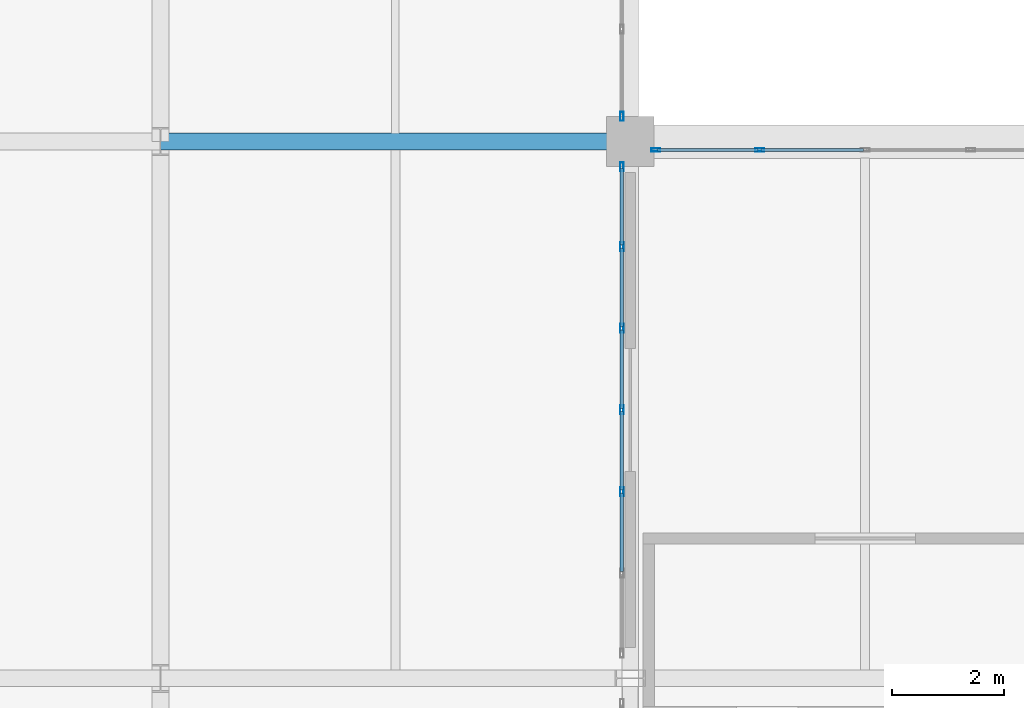
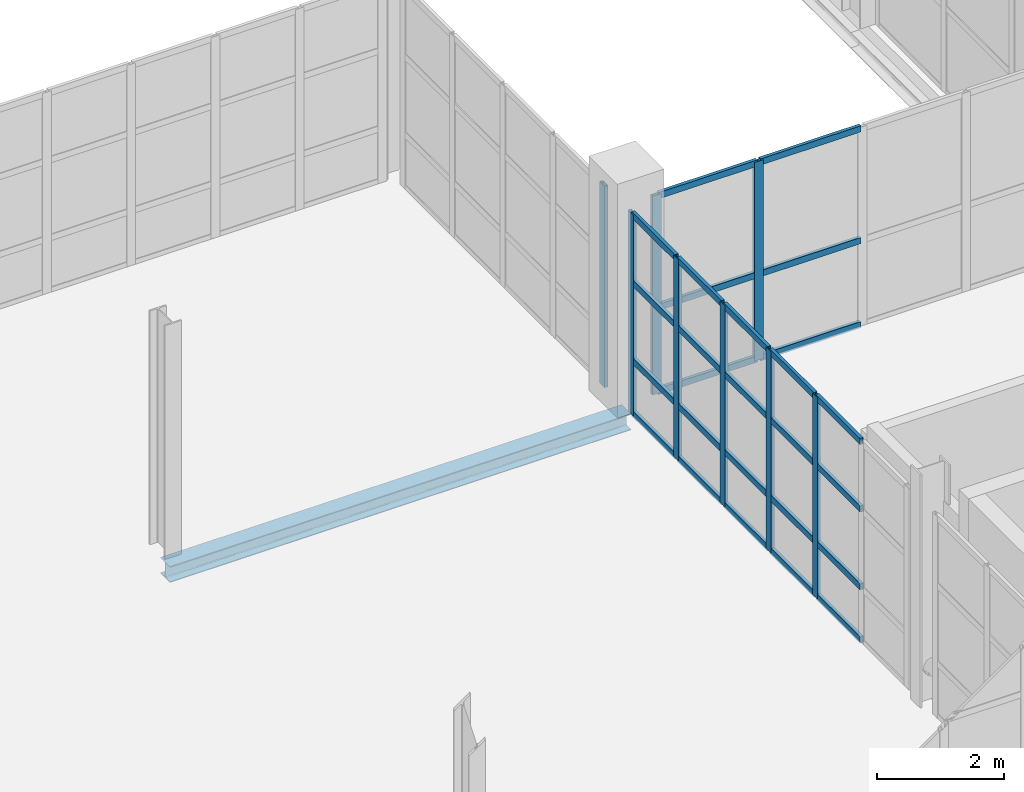
# One storey, part 19 of 109: 34 members, 1 beam, 3 elements without a shape of their own.
"""IFC4 building model written with IfcOpenShell, lengths in metres."""

import ifcopenshell
import ifcopenshell.guid

model = None  # the IFC model being written
_history = None  # IfcOwnerHistory: only IFC2X3 demands one
_inside = {}  # id of a spatial element -> (the spatial element, [elements in it])
_under = {}  # id of a project, library or spatial element -> (it, [spatial elements below it])
_declared = {}  # id of a project -> (the project, [libraries it declares])
_typed = {}  # id of a type object -> (the type object, [elements of that type])
_made_of = {}  # id of a material, layer set ... -> (it, [elements and type objects made of it])


def new_model(schema):
    """Start an empty IFC model of exactly this schema.

    Asked for "IFC4X3", IfcOpenShell would pick the latest addendum, in which some entities
    have other attributes; the version numbers below select the first issue.
    IFC2X3 requires an IfcOwnerHistory on every rooted entity: one is made here for all.
    """
    global model, _history
    if schema == "IFC4X3":
        model = ifcopenshell.file(schema_version=(4, 3, 0, 0))
    else:
        model = ifcopenshell.file(schema=schema)
    _inside.clear()
    _under.clear()
    _declared.clear()
    _typed.clear()
    _made_of.clear()
    _history = None
    if model.schema == "IFC2X3":
        org = make("IfcOrganization", Name="unknown")
        user = make(
            "IfcPersonAndOrganization",
            ThePerson=make("IfcPerson", FamilyName="unknown"),
            TheOrganization=org,
        )
        app = make(
            "IfcApplication",
            ApplicationDeveloper=org,
            Version="unknown",
            ApplicationFullName="unknown",
            ApplicationIdentifier="unknown",
        )
        _history = make(
            "IfcOwnerHistory",
            OwningUser=user,
            OwningApplication=app,
            ChangeAction="ADDED",
            CreationDate=0,
        )
    return model


def make(cls, **values):
    """One entity of the class cls with the attributes given. An attribute that is None is left unset."""
    return model.create_entity(
        cls, **{name: value for name, value in values.items() if value is not None}
    )


def rooted(cls, **values):
    """An entity with a GlobalId (a new one), such as an element, a storey or a relation."""
    return make(cls, GlobalId=ifcopenshell.guid.new(), OwnerHistory=_history, **values)


def si_unit(unit_type, name, prefix=None):
    """IfcSIUnit, for example si_unit("LENGTHUNIT", "METRE", prefix="MILLI")."""
    return make("IfcSIUnit", UnitType=unit_type, Prefix=prefix, Name=name)


def assignment(units):
    """IfcUnitAssignment: the units of a project."""
    return None if units is None else make("IfcUnitAssignment", Units=units)


def point(xyz):
    """IfcCartesianPoint."""
    return None if xyz is None else make("IfcCartesianPoint", Coordinates=xyz)


def direction(xyz):
    """IfcDirection."""
    return None if xyz is None else make("IfcDirection", DirectionRatios=xyz)


def frame(location, z_axis=None, x_axis=None):
    """IfcAxis2Placement3D, a coordinate frame: its origin and axes. An axis left out is left unset."""
    return make(
        "IfcAxis2Placement3D",
        Location=point(location),
        Axis=direction(z_axis),
        RefDirection=direction(x_axis),
    )


def frame_2d(location, x_axis=None):
    """IfcAxis2Placement2D, a coordinate frame in the plane: its origin and x axis."""
    return make(
        "IfcAxis2Placement2D", Location=point(location), RefDirection=direction(x_axis)
    )


def origin():
    """The frame at (0, 0, 0) with its axes left unset."""
    return frame((0.0, 0.0, 0.0))


def origin_2d():
    """The frame at (0, 0) in the plane with its x axis left unset."""
    return frame_2d((0.0, 0.0))


def place(relative_to, where):
    """IfcLocalPlacement: puts the frame where relative to a parent placement (None: the world)."""
    return make(
        "IfcLocalPlacement", PlacementRelTo=relative_to, RelativePlacement=where
    )


def context(
    kind, dimensions, precision=None, world=None, true_north=None, identifier=None
):
    """IfcGeometricRepresentationContext, for example the 3D "Model" context."""
    return make(
        "IfcGeometricRepresentationContext",
        ContextIdentifier=identifier,
        ContextType=kind,
        CoordinateSpaceDimension=dimensions,
        Precision=precision,
        WorldCoordinateSystem=world,
        TrueNorth=true_north,
    )


def subcontext(parent, identifier, kind, view, scale=None):
    """IfcGeometricRepresentationSubContext, for example "Body" below "Model"."""
    return make(
        "IfcGeometricRepresentationSubContext",
        ContextIdentifier=identifier,
        ContextType=kind,
        ParentContext=parent,
        TargetScale=scale,
        TargetView=view,
    )


def project(units=None, contexts=None):
    """IfcProject with its units and contexts."""
    return rooted(
        "IfcProject",
        Name="project",
        RepresentationContexts=contexts,
        UnitsInContext=assignment(units),
    )


def spatial(cls, under=None, at=None, **own):
    """A site, building, storey or space (cls), placed at a placement, below another one or the project."""
    s = rooted(cls, ObjectPlacement=at, **own)
    if under is not None:
        _under.setdefault(under.id(), (under, []))[1].append(s)
    return s


def profile(cls, at=None, kind="AREA", **sizes):
    """A parametric profile (cls). Its sizes go by their IFC names, for example OverallWidth=200.0."""
    return make(cls, ProfileType=kind, Position=at, **sizes)


def hollow_rectangle(**sizes):
    """IfcRectangleHollowProfileDef."""
    return profile("IfcRectangleHollowProfileDef", **sizes)


def i_section(**sizes):
    """IfcIShapeProfileDef."""
    return profile("IfcIShapeProfileDef", **sizes)


def extrude(swept, where, along, depth):
    """IfcExtrudedAreaSolid: the profile swept, set in the frame where, extruded along a direction by depth."""
    return make(
        "IfcExtrudedAreaSolid",
        SweptArea=swept,
        Position=where,
        ExtrudedDirection=direction(along),
        Depth=depth,
    )


def shape(context_of_items, identifier, shape_type, items):
    """IfcShapeRepresentation: the items that make up one representation, for example the "Body"."""
    return make(
        "IfcShapeRepresentation",
        ContextOfItems=context_of_items,
        RepresentationIdentifier=identifier,
        RepresentationType=shape_type,
        Items=items,
    )


def material(Name=None, Category=None):
    """IfcMaterial."""
    return make("IfcMaterial", Name=Name, Category=Category)


def material_profile(
    of_material, cross_section, Name=None, Category=None, Priority=None
):
    """IfcMaterialProfile: a cross section and its material."""
    return make(
        "IfcMaterialProfile",
        Name=Name,
        Material=of_material,
        Profile=cross_section,
        Priority=Priority,
        Category=Category,
    )


def profile_set(profiles, Name=None, composite=None):
    """IfcMaterialProfileSet."""
    return make(
        "IfcMaterialProfileSet",
        Name=Name,
        MaterialProfiles=profiles,
        CompositeProfile=composite,
    )


def made_of(thing, what):
    """Note that an element or type object is made of a material, layer set ...; save() writes the relation."""
    if what is not None:
        _made_of.setdefault(what.id(), (what, []))[1].append(thing)
    return thing


def type_object(cls, material=None, **own):
    """A type object (cls), such as IfcWallType, which elements share."""
    return made_of(rooted(cls, **own), material)


def element(
    cls,
    number,
    at=None,
    inside=None,
    cuts=None,
    type_object=None,
    material=None,
    context=None,
    identifier="Body",
    shape_type=None,
    held_by="IfcProductDefinitionShape",
    body=None,
    shapes=None,
    **own,
):
    """One element of the class cls, such as IfcWall. Its Tag is "e" and its number.

    at: its placement. inside: the storey or other place that contains it. cuts: it is an
    opening in that element (IfcRelVoidsElement). A single representation is given by context,
    identifier, shape_type and body (its items); several are given by shapes. held_by: the class
    of the entity that holds the representations. save() writes the other relations.
    """
    e = rooted(cls, Tag="e%d" % number, ObjectPlacement=at, **own)
    if body is not None:
        shapes = [shape(context, identifier, shape_type, body)]
    if shapes is not None:
        e.Representation = make(held_by, Representations=shapes)
    if inside is not None:
        _inside.setdefault(inside.id(), (inside, []))[1].append(e)
    if cuts is not None:
        rooted(
            "IfcRelVoidsElement", RelatingBuildingElement=cuts, RelatedOpeningElement=e
        )
    if type_object is not None:
        _typed.setdefault(type_object.id(), (type_object, []))[1].append(e)
    return made_of(e, material)


def aggregate(whole, parts):
    """IfcRelAggregates: a whole, such as a stair, and the parts it consists of."""
    return rooted("IfcRelAggregates", RelatingObject=whole, RelatedObjects=parts)


def save(model, path):
    """Write the relations noted so far, then the file.

    IfcRelAggregates (storeys below a building ...), IfcRelContainedInSpatialStructure (elements
    in a storey), IfcRelDefinesByType, IfcRelAssociatesMaterial and IfcRelDeclares: one each for
    every whole, place, type object, material and project.
    """
    for whole, parts in _under.values():
        aggregate(whole, parts)
    for where, things in _inside.values():
        rooted(
            "IfcRelContainedInSpatialStructure",
            RelatedElements=things,
            RelatingStructure=where,
        )
    for kind, things in _typed.values():
        rooted("IfcRelDefinesByType", RelatedObjects=things, RelatingType=kind)
    for what, things in _made_of.values():
        rooted("IfcRelAssociatesMaterial", RelatedObjects=things, RelatingMaterial=what)
    for by, libraries in _declared.values():
        rooted("IfcRelDeclares", RelatingContext=by, RelatedDefinitions=libraries)
    model.write(path)


model = new_model("IFC4")

# Units and contexts
model_context = context("Model", 3, precision=1e-05, world=origin(), true_north=direction((0.0, 1.0)))
body_context = subcontext(model_context, "Body", "Model", "MODEL_VIEW")
ifc_project = project(units=[si_unit("LENGTHUNIT", "METRE"), si_unit("AREAUNIT", "SQUARE_METRE"), si_unit("VOLUMEUNIT", "CUBIC_METRE"), si_unit("PLANEANGLEUNIT", "RADIAN"), si_unit("MASSUNIT", "GRAM", prefix="KILO")], contexts=[model_context])

# Site, building, storey
site_placement = place(None, origin())
site = spatial("IfcSite", under=ifc_project, at=site_placement, CompositionType="ELEMENT")
building_placement = place(site_placement, origin())
building = spatial("IfcBuilding", under=site, at=building_placement, Name="Veltarok Museum of Natural Sciences", CompositionType="ELEMENT")
storey_placement = place(building_placement, frame((0.0, 0.0, 17.39990234375)))
storey = spatial("IfcBuildingStorey", under=building, at=storey_placement, Name="L03", CompositionType="ELEMENT", Elevation=17.39990234375)

# Curtain wall, members
ifc_material_1 = material(Name="Low-iron triple insulated glass", Category="glass")
curtain_wall_type_1 = type_object("IfcCurtainWallType", Name="Curtain Wall System CW-BRG-E-L03-BC-876x388 (Bridge East Court L03 BC 876x388cm)", PredefinedType="NOTDEFINED", material=ifc_material_1)
curtain_wall_1_placement = place(storey_placement, origin())
curtain_wall_1 = element("IfcCurtainWall", 1, at=curtain_wall_1_placement, inside=storey, type_object=curtain_wall_type_1, Name="Curtain Wall CW-BRG-E-L03-BC-876x388 CW-0041", PredefinedType="NOTDEFINED")
ifc_material_2 = material(Name="Thermally broken anodised aluminium", Category="aluminium")
ifc_material_profile_1 = material_profile(ifc_material_2, hollow_rectangle(XDim=0.06005859375, YDim=0.1201171875, WallThickness=0.0048828125, at=origin_2d()), Name="CW TRANSOM 60x120x5")
ifc_profile_set_1 = profile_set([ifc_material_profile_1], Name="Thermally broken anodised aluminium")
member_type_1 = type_object("IfcMemberType", Name="Curtain Wall Horizontal Transom 60x120x5", PredefinedType="USERDEFINED", material=ifc_profile_set_1)
member_1_placement = place(storey_placement, frame((31.449951171875, 11.510009765625, 0.030029296875), z_axis=(0.0, 1.0, 0.0), x_axis=(-1.0, 0.0, 0.0)))
member_1 = element("IfcMember", 2, at=member_1_placement, type_object=member_type_1, Name="CW-BRG-E-L03-BC-876x388 transom 2.1", ObjectType="TRANSOM", PredefinedType="USERDEFINED", context=body_context, shape_type="SweptSolid", body=[
    extrude(hollow_rectangle(XDim=0.06005859375, YDim=0.1201171875, WallThickness=0.0048828125, at=origin_2d()), origin(), (0.0, 0.0, 1.0), 1.39990234375),
])
member_2_placement = place(storey_placement, frame((31.449951171875, 11.510009765625, 1.050048828125), z_axis=(0.0, 1.0, 0.0), x_axis=(-1.0, 0.0, 0.0)))
member_2 = element("IfcMember", 3, at=member_2_placement, type_object=member_type_1, Name="CW-BRG-E-L03-BC-876x388 transom 2.2", ObjectType="TRANSOM", PredefinedType="USERDEFINED", context=body_context, shape_type="SweptSolid", body=[
    extrude(hollow_rectangle(XDim=0.06005859375, YDim=0.1201171875, WallThickness=0.0048828125, at=origin_2d()), origin(), (0.0, 0.0, 1.0), 1.39990234375),
])
member_3_placement = place(storey_placement, frame((31.449951171875, 11.510009765625, 2.550048828125), z_axis=(0.0, 1.0, 0.0), x_axis=(-1.0, 0.0, 0.0)))
member_3 = element("IfcMember", 4, at=member_3_placement, type_object=member_type_1, Name="CW-BRG-E-L03-BC-876x388 transom 2.3", ObjectType="TRANSOM", PredefinedType="USERDEFINED", context=body_context, shape_type="SweptSolid", body=[
    extrude(hollow_rectangle(XDim=0.06005859375, YDim=0.1201171875, WallThickness=0.0048828125, at=origin_2d()), origin(), (0.0, 0.0, 1.0), 1.39990234375),
])
member_4_placement = place(storey_placement, frame((31.449951171875, 11.510009765625, 3.85009765625), z_axis=(0.0, 1.0, 0.0), x_axis=(-1.0, 0.0, 0.0)))
member_4 = element("IfcMember", 5, at=member_4_placement, type_object=member_type_1, Name="CW-BRG-E-L03-BC-876x388 transom 2.4", ObjectType="TRANSOM", PredefinedType="USERDEFINED", context=body_context, shape_type="SweptSolid", body=[
    extrude(hollow_rectangle(XDim=0.06005859375, YDim=0.1201171875, WallThickness=0.0048828125, at=origin_2d()), origin(), (0.0, 0.0, 1.0), 1.39990234375),
])
member_5_placement = place(storey_placement, frame((31.449951171875, 12.969970703125, 0.030029296875), z_axis=(0.0, 1.0, 0.0), x_axis=(-1.0, 0.0, 0.0)))
member_5 = element("IfcMember", 6, at=member_5_placement, type_object=member_type_1, Name="CW-BRG-E-L03-BC-876x388 transom 3.1", ObjectType="TRANSOM", PredefinedType="USERDEFINED", context=body_context, shape_type="SweptSolid", body=[
    extrude(hollow_rectangle(XDim=0.06005859375, YDim=0.1201171875, WallThickness=0.0048828125, at=origin_2d()), origin(), (0.0, 0.0, 1.0), 1.400146484375),
])
member_6_placement = place(storey_placement, frame((31.449951171875, 12.969970703125, 1.050048828125), z_axis=(0.0, 1.0, 0.0), x_axis=(-1.0, 0.0, 0.0)))
member_6 = element("IfcMember", 7, at=member_6_placement, type_object=member_type_1, Name="CW-BRG-E-L03-BC-876x388 transom 3.2", ObjectType="TRANSOM", PredefinedType="USERDEFINED", context=body_context, shape_type="SweptSolid", body=[
    extrude(hollow_rectangle(XDim=0.06005859375, YDim=0.1201171875, WallThickness=0.0048828125, at=origin_2d()), origin(), (0.0, 0.0, 1.0), 1.400146484375),
])
member_7_placement = place(storey_placement, frame((31.449951171875, 12.969970703125, 2.550048828125), z_axis=(0.0, 1.0, 0.0), x_axis=(-1.0, 0.0, 0.0)))
member_7 = element("IfcMember", 8, at=member_7_placement, type_object=member_type_1, Name="CW-BRG-E-L03-BC-876x388 transom 3.3", ObjectType="TRANSOM", PredefinedType="USERDEFINED", context=body_context, shape_type="SweptSolid", body=[
    extrude(hollow_rectangle(XDim=0.06005859375, YDim=0.1201171875, WallThickness=0.0048828125, at=origin_2d()), origin(), (0.0, 0.0, 1.0), 1.400146484375),
])
member_8_placement = place(storey_placement, frame((31.449951171875, 12.969970703125, 3.85009765625), z_axis=(0.0, 1.0, 0.0), x_axis=(-1.0, 0.0, 0.0)))
member_8 = element("IfcMember", 9, at=member_8_placement, type_object=member_type_1, Name="CW-BRG-E-L03-BC-876x388 transom 3.4", ObjectType="TRANSOM", PredefinedType="USERDEFINED", context=body_context, shape_type="SweptSolid", body=[
    extrude(hollow_rectangle(XDim=0.06005859375, YDim=0.1201171875, WallThickness=0.0048828125, at=origin_2d()), origin(), (0.0, 0.0, 1.0), 1.400146484375),
])
member_9_placement = place(storey_placement, frame((31.449951171875, 14.429931640625, 0.030029296875), z_axis=(0.0, 1.0, 0.0), x_axis=(-1.0, 0.0, 0.0)))
member_9 = element("IfcMember", 10, at=member_9_placement, type_object=member_type_1, Name="CW-BRG-E-L03-BC-876x388 transom 4.1", ObjectType="TRANSOM", PredefinedType="USERDEFINED", context=body_context, shape_type="SweptSolid", body=[
    extrude(hollow_rectangle(XDim=0.06005859375, YDim=0.1201171875, WallThickness=0.0048828125, at=origin_2d()), origin(), (0.0, 0.0, 1.0), 1.400146484375),
])
member_10_placement = place(storey_placement, frame((31.449951171875, 14.429931640625, 1.050048828125), z_axis=(0.0, 1.0, 0.0), x_axis=(-1.0, 0.0, 0.0)))
member_10 = element("IfcMember", 11, at=member_10_placement, type_object=member_type_1, Name="CW-BRG-E-L03-BC-876x388 transom 4.2", ObjectType="TRANSOM", PredefinedType="USERDEFINED", context=body_context, shape_type="SweptSolid", body=[
    extrude(hollow_rectangle(XDim=0.06005859375, YDim=0.1201171875, WallThickness=0.0048828125, at=origin_2d()), origin(), (0.0, 0.0, 1.0), 1.400146484375),
])
member_11_placement = place(storey_placement, frame((31.449951171875, 14.429931640625, 2.550048828125), z_axis=(0.0, 1.0, 0.0), x_axis=(-1.0, 0.0, 0.0)))
member_11 = element("IfcMember", 12, at=member_11_placement, type_object=member_type_1, Name="CW-BRG-E-L03-BC-876x388 transom 4.3", ObjectType="TRANSOM", PredefinedType="USERDEFINED", context=body_context, shape_type="SweptSolid", body=[
    extrude(hollow_rectangle(XDim=0.06005859375, YDim=0.1201171875, WallThickness=0.0048828125, at=origin_2d()), origin(), (0.0, 0.0, 1.0), 1.400146484375),
])
member_12_placement = place(storey_placement, frame((31.449951171875, 14.429931640625, 3.85009765625), z_axis=(0.0, 1.0, 0.0), x_axis=(-1.0, 0.0, 0.0)))
member_12 = element("IfcMember", 13, at=member_12_placement, type_object=member_type_1, Name="CW-BRG-E-L03-BC-876x388 transom 4.4", ObjectType="TRANSOM", PredefinedType="USERDEFINED", context=body_context, shape_type="SweptSolid", body=[
    extrude(hollow_rectangle(XDim=0.06005859375, YDim=0.1201171875, WallThickness=0.0048828125, at=origin_2d()), origin(), (0.0, 0.0, 1.0), 1.400146484375),
])
member_13_placement = place(storey_placement, frame((31.449951171875, 15.889892578125, 0.030029296875), z_axis=(0.0, 1.0, 0.0), x_axis=(-1.0, 0.0, 0.0)))
member_13 = element("IfcMember", 14, at=member_13_placement, type_object=member_type_1, Name="CW-BRG-E-L03-BC-876x388 transom 5.1", ObjectType="TRANSOM", PredefinedType="USERDEFINED", context=body_context, shape_type="SweptSolid", body=[
    extrude(hollow_rectangle(XDim=0.06005859375, YDim=0.1201171875, WallThickness=0.0048828125, at=origin_2d()), origin(), (0.0, 0.0, 1.0), 1.400146484375),
])
member_14_placement = place(storey_placement, frame((31.449951171875, 15.889892578125, 1.050048828125), z_axis=(0.0, 1.0, 0.0), x_axis=(-1.0, 0.0, 0.0)))
member_14 = element("IfcMember", 15, at=member_14_placement, type_object=member_type_1, Name="CW-BRG-E-L03-BC-876x388 transom 5.2", ObjectType="TRANSOM", PredefinedType="USERDEFINED", context=body_context, shape_type="SweptSolid", body=[
    extrude(hollow_rectangle(XDim=0.06005859375, YDim=0.1201171875, WallThickness=0.0048828125, at=origin_2d()), origin(), (0.0, 0.0, 1.0), 1.400146484375),
])
member_15_placement = place(storey_placement, frame((31.449951171875, 15.889892578125, 2.550048828125), z_axis=(0.0, 1.0, 0.0), x_axis=(-1.0, 0.0, 0.0)))
member_15 = element("IfcMember", 16, at=member_15_placement, type_object=member_type_1, Name="CW-BRG-E-L03-BC-876x388 transom 5.3", ObjectType="TRANSOM", PredefinedType="USERDEFINED", context=body_context, shape_type="SweptSolid", body=[
    extrude(hollow_rectangle(XDim=0.06005859375, YDim=0.1201171875, WallThickness=0.0048828125, at=origin_2d()), origin(), (0.0, 0.0, 1.0), 1.400146484375),
])
member_16_placement = place(storey_placement, frame((31.449951171875, 15.889892578125, 3.85009765625), z_axis=(0.0, 1.0, 0.0), x_axis=(-1.0, 0.0, 0.0)))
member_16 = element("IfcMember", 17, at=member_16_placement, type_object=member_type_1, Name="CW-BRG-E-L03-BC-876x388 transom 5.4", ObjectType="TRANSOM", PredefinedType="USERDEFINED", context=body_context, shape_type="SweptSolid", body=[
    extrude(hollow_rectangle(XDim=0.06005859375, YDim=0.1201171875, WallThickness=0.0048828125, at=origin_2d()), origin(), (0.0, 0.0, 1.0), 1.400146484375),
])
member_17_placement = place(storey_placement, frame((31.449951171875, 17.35009765625, 0.030029296875), z_axis=(0.0, 1.0, 0.0), x_axis=(-1.0, 0.0, 0.0)))
member_17 = element("IfcMember", 18, at=member_17_placement, type_object=member_type_1, Name="CW-BRG-E-L03-BC-876x388 transom 6.1", ObjectType="TRANSOM", PredefinedType="USERDEFINED", context=body_context, shape_type="SweptSolid", body=[
    extrude(hollow_rectangle(XDim=0.06005859375, YDim=0.1201171875, WallThickness=0.0048828125, at=origin_2d()), origin(), (0.0, 0.0, 1.0), 1.369873046875),
])
member_18_placement = place(storey_placement, frame((31.449951171875, 17.35009765625, 1.050048828125), z_axis=(0.0, 1.0, 0.0), x_axis=(-1.0, 0.0, 0.0)))
member_18 = element("IfcMember", 19, at=member_18_placement, type_object=member_type_1, Name="CW-BRG-E-L03-BC-876x388 transom 6.2", ObjectType="TRANSOM", PredefinedType="USERDEFINED", context=body_context, shape_type="SweptSolid", body=[
    extrude(hollow_rectangle(XDim=0.06005859375, YDim=0.1201171875, WallThickness=0.0048828125, at=origin_2d()), origin(), (0.0, 0.0, 1.0), 1.369873046875),
])
member_19_placement = place(storey_placement, frame((31.449951171875, 17.35009765625, 2.550048828125), z_axis=(0.0, 1.0, 0.0), x_axis=(-1.0, 0.0, 0.0)))
member_19 = element("IfcMember", 20, at=member_19_placement, type_object=member_type_1, Name="CW-BRG-E-L03-BC-876x388 transom 6.3", ObjectType="TRANSOM", PredefinedType="USERDEFINED", context=body_context, shape_type="SweptSolid", body=[
    extrude(hollow_rectangle(XDim=0.06005859375, YDim=0.1201171875, WallThickness=0.0048828125, at=origin_2d()), origin(), (0.0, 0.0, 1.0), 1.369873046875),
])
member_20_placement = place(storey_placement, frame((31.449951171875, 17.35009765625, 3.85009765625), z_axis=(0.0, 1.0, 0.0), x_axis=(-1.0, 0.0, 0.0)))
member_20 = element("IfcMember", 21, at=member_20_placement, type_object=member_type_1, Name="CW-BRG-E-L03-BC-876x388 transom 6.4", ObjectType="TRANSOM", PredefinedType="USERDEFINED", context=body_context, shape_type="SweptSolid", body=[
    extrude(hollow_rectangle(XDim=0.06005859375, YDim=0.1201171875, WallThickness=0.0048828125, at=origin_2d()), origin(), (0.0, 0.0, 1.0), 1.369873046875),
])

curtain_wall_type_2 = type_object("IfcCurtainWallType", Name="Curtain Wall System CW-V1CNW-L03-1-755x383 (CW-V1CNW L03 755x383cm)", PredefinedType="NOTDEFINED", material=ifc_material_1)
curtain_wall_2_placement = place(storey_placement, origin())
curtain_wall_2 = element("IfcCurtainWall", 22, at=curtain_wall_2_placement, inside=storey, type_object=curtain_wall_type_2, Name="Curtain Wall CW-V1CNW-L03-1-755x383 CW-0161", PredefinedType="NOTDEFINED")
member_21_placement = place(storey_placement, frame((35.77001953125, 19.050048828125, 0.028076171875), z_axis=(-1.0, 0.0, 0.0), x_axis=(0.0, -1.0, 0.0)))
member_21 = element("IfcMember", 23, at=member_21_placement, type_object=member_type_1, Name="CW-V1CNW-L03-1-755x383 transom 3.1", ObjectType="TRANSOM", PredefinedType="USERDEFINED", context=body_context, shape_type="SweptSolid", body=[
    extrude(hollow_rectangle(XDim=0.06005859375, YDim=0.1201171875, WallThickness=0.0048828125, at=origin_2d()), origin(), (0.0, 0.0, 1.0), 1.82763671875),
])
member_22_placement = place(storey_placement, frame((35.77001953125, 19.050048828125, 1.648193359375), z_axis=(-1.0, 0.0, 0.0), x_axis=(0.0, -1.0, 0.0)))
member_22 = element("IfcMember", 24, at=member_22_placement, type_object=member_type_1, Name="CW-V1CNW-L03-1-755x383 transom 3.2", ObjectType="TRANSOM", PredefinedType="USERDEFINED", context=body_context, shape_type="SweptSolid", body=[
    extrude(hollow_rectangle(XDim=0.06005859375, YDim=0.1201171875, WallThickness=0.0048828125, at=origin_2d()), origin(), (0.0, 0.0, 1.0), 1.82763671875),
])
member_23_placement = place(storey_placement, frame((35.77001953125, 19.050048828125, 3.800048828125), z_axis=(-1.0, 0.0, 0.0), x_axis=(0.0, -1.0, 0.0)))
member_23 = element("IfcMember", 25, at=member_23_placement, type_object=member_type_1, Name="CW-V1CNW-L03-1-755x383 transom 3.3", ObjectType="TRANSOM", PredefinedType="USERDEFINED", context=body_context, shape_type="SweptSolid", body=[
    extrude(hollow_rectangle(XDim=0.06005859375, YDim=0.1201171875, WallThickness=0.0048828125, at=origin_2d()), origin(), (0.0, 0.0, 1.0), 1.82763671875),
])
member_24_placement = place(storey_placement, frame((33.882568359375, 19.050048828125, 0.028076171875), z_axis=(-1.0, 0.0, 0.0), x_axis=(0.0, -1.0, 0.0)))
member_24 = element("IfcMember", 26, at=member_24_placement, type_object=member_type_1, Name="CW-V1CNW-L03-1-755x383 transom 4.1", ObjectType="TRANSOM", PredefinedType="USERDEFINED", context=body_context, shape_type="SweptSolid", body=[
    extrude(hollow_rectangle(XDim=0.06005859375, YDim=0.1201171875, WallThickness=0.0048828125, at=origin_2d()), origin(), (0.0, 0.0, 1.0), 1.797607421875),
])
member_25_placement = place(storey_placement, frame((33.882568359375, 19.050048828125, 1.648193359375), z_axis=(-1.0, 0.0, 0.0), x_axis=(0.0, -1.0, 0.0)))
member_25 = element("IfcMember", 27, at=member_25_placement, type_object=member_type_1, Name="CW-V1CNW-L03-1-755x383 transom 4.2", ObjectType="TRANSOM", PredefinedType="USERDEFINED", context=body_context, shape_type="SweptSolid", body=[
    extrude(hollow_rectangle(XDim=0.06005859375, YDim=0.1201171875, WallThickness=0.0048828125, at=origin_2d()), origin(), (0.0, 0.0, 1.0), 1.797607421875),
])
member_26_placement = place(storey_placement, frame((33.882568359375, 19.050048828125, 3.800048828125), z_axis=(-1.0, 0.0, 0.0), x_axis=(0.0, -1.0, 0.0)))
member_26 = element("IfcMember", 28, at=member_26_placement, type_object=member_type_1, Name="CW-V1CNW-L03-1-755x383 transom 4.3", ObjectType="TRANSOM", PredefinedType="USERDEFINED", context=body_context, shape_type="SweptSolid", body=[
    extrude(hollow_rectangle(XDim=0.06005859375, YDim=0.1201171875, WallThickness=0.0048828125, at=origin_2d()), origin(), (0.0, 0.0, 1.0), 1.797607421875),
])

# Member
ifc_material_profile_2 = material_profile(ifc_material_2, hollow_rectangle(XDim=0.06005859375, YDim=0.159912109375, WallThickness=0.0048828125, at=origin_2d()), Name="CW MULLION 60x160x5")
ifc_profile_set_2 = profile_set([ifc_material_profile_2], Name="Thermally broken anodised aluminium")
member_type_2 = type_object("IfcMemberType", Name="Curtain Wall Vertical Mullion 60x160x5", PredefinedType="MULLION", material=ifc_profile_set_2)
member_27_placement = place(storey_placement, frame((31.449951171875, 12.93994140625, 0.0), z_axis=(0.0, 0.0, 1.0), x_axis=(-1.0, 0.0, 0.0)))
member_27 = element("IfcMember", 29, at=member_27_placement, type_object=member_type_2, Name="CW-BRG-E-L03-BC-876x388 mullion 3", PredefinedType="MULLION", context=body_context, shape_type="SweptSolid", body=[
    extrude(hollow_rectangle(XDim=0.06005859375, YDim=0.159912109375, WallThickness=0.0048828125, at=origin_2d()), origin(), (0.0, 0.0, 1.0), 3.880126953125),
])

member_28_placement = place(storey_placement, frame((31.449951171875, 14.39990234375, 0.0), z_axis=(0.0, 0.0, 1.0), x_axis=(-1.0, 0.0, 0.0)))
member_28 = element("IfcMember", 30, at=member_28_placement, type_object=member_type_2, Name="CW-BRG-E-L03-BC-876x388 mullion 4", PredefinedType="MULLION", context=body_context, shape_type="SweptSolid", body=[
    extrude(hollow_rectangle(XDim=0.06005859375, YDim=0.159912109375, WallThickness=0.0048828125, at=origin_2d()), origin(), (0.0, 0.0, 1.0), 3.880126953125),
])

member_29_placement = place(storey_placement, frame((31.449951171875, 15.860107421875, 0.0), z_axis=(0.0, 0.0, 1.0), x_axis=(-1.0, 0.0, 0.0)))
member_29 = element("IfcMember", 31, at=member_29_placement, type_object=member_type_2, Name="CW-BRG-E-L03-BC-876x388 mullion 5", PredefinedType="MULLION", context=body_context, shape_type="SweptSolid", body=[
    extrude(hollow_rectangle(XDim=0.06005859375, YDim=0.159912109375, WallThickness=0.0048828125, at=origin_2d()), origin(), (0.0, 0.0, 1.0), 3.880126953125),
])

member_30_placement = place(storey_placement, frame((31.449951171875, 17.320068359375, 0.0), z_axis=(0.0, 0.0, 1.0), x_axis=(-1.0, 0.0, 0.0)))
member_30 = element("IfcMember", 32, at=member_30_placement, type_object=member_type_2, Name="CW-BRG-E-L03-BC-876x388 mullion 6", PredefinedType="MULLION", context=body_context, shape_type="SweptSolid", body=[
    extrude(hollow_rectangle(XDim=0.06005859375, YDim=0.159912109375, WallThickness=0.0048828125, at=origin_2d()), origin(), (0.0, 0.0, 1.0), 3.880126953125),
])

member_31_placement = place(storey_placement, frame((31.449951171875, 18.75, 0.0), z_axis=(0.0, 0.0, 1.0), x_axis=(-1.0, 0.0, 0.0)))
member_31 = element("IfcMember", 33, at=member_31_placement, type_object=member_type_2, Name="CW-BRG-E-L03-BC-876x388 mullion 7", PredefinedType="MULLION", context=body_context, shape_type="SweptSolid", body=[
    extrude(hollow_rectangle(XDim=0.06005859375, YDim=0.159912109375, WallThickness=0.0048828125, at=origin_2d()), origin(), (0.0, 0.0, 1.0), 3.880126953125),
])

aggregate(curtain_wall_1, [member_27, member_28, member_29, member_30, member_31, member_1, member_2, member_3, member_4, member_5, member_6, member_7, member_8, member_9, member_10, member_11, member_12, member_13, member_14, member_15, member_16, member_17, member_18, member_19, member_20])

# Curtain wall, member
curtain_wall_type_3 = type_object("IfcCurtainWallType", Name="Curtain Wall System CW-BRG-E-L03-CD-636x388 (Bridge East Court L03 CD 636x388cm)", PredefinedType="NOTDEFINED", material=ifc_material_1)
curtain_wall_3_placement = place(storey_placement, origin())
curtain_wall_3 = element("IfcCurtainWall", 34, at=curtain_wall_3_placement, inside=storey, type_object=curtain_wall_type_3, Name="Curtain Wall CW-BRG-E-L03-CD-636x388 CW-0042", PredefinedType="NOTDEFINED")
member_32_placement = place(storey_placement, frame((31.449951171875, 19.64990234375, 0.0), z_axis=(0.0, 0.0, 1.0), x_axis=(-1.0, 0.0, 0.0)))
member_32 = element("IfcMember", 35, at=member_32_placement, type_object=member_type_2, Name="CW-BRG-E-L03-CD-636x388 mullion 1", PredefinedType="MULLION", context=body_context, shape_type="SweptSolid", body=[
    extrude(hollow_rectangle(XDim=0.06005859375, YDim=0.159912109375, WallThickness=0.0048828125, at=origin_2d()), origin(), (0.0, 0.0, 1.0), 3.880126953125),
])
aggregate(curtain_wall_3, [member_32])

# Member
member_33_placement = place(storey_placement, frame((33.91259765625, 19.050048828125, -0.001953125), z_axis=(0.0, 0.0, 1.0), x_axis=(0.0, -1.0, 0.0)))
member_33 = element("IfcMember", 36, at=member_33_placement, type_object=member_type_2, Name="CW-V1CNW-L03-1-755x383 mullion 4", PredefinedType="MULLION", context=body_context, shape_type="SweptSolid", body=[
    extrude(hollow_rectangle(XDim=0.06005859375, YDim=0.159912109375, WallThickness=0.0048828125, at=origin_2d()), origin(), (0.0, 0.0, 1.0), 3.83203125),
])

member_34_placement = place(storey_placement, frame((32.054931640625, 19.050048828125, -0.001953125), z_axis=(0.0, 0.0, 1.0), x_axis=(0.0, -1.0, 0.0)))
member_34 = element("IfcMember", 37, at=member_34_placement, type_object=member_type_2, Name="CW-V1CNW-L03-1-755x383 mullion 5", PredefinedType="MULLION", context=body_context, shape_type="SweptSolid", body=[
    extrude(hollow_rectangle(XDim=0.06005859375, YDim=0.159912109375, WallThickness=0.0048828125, at=origin_2d()), origin(), (0.0, 0.0, 1.0), 3.83203125),
])

aggregate(curtain_wall_2, [member_33, member_34, member_21, member_22, member_23, member_24, member_25, member_26])

# Beam
ifc_material_3 = material(Name="Steel S355J2", Category="steel")
ifc_material_profile_3 = material_profile(ifc_material_3, i_section(OverallWidth=0.300048828125, OverallDepth=0.31005859375, WebThickness=0.009033203125, FlangeThickness=0.015380859375, FilletRadius=0.027099609375, at=origin_2d()), Name="HEA 320")
ifc_profile_set_3 = profile_set([ifc_material_profile_3], Name="Steel S355J2")
beam_type = type_object("IfcBeamType", Name="Perimeter Edge Spandrel HEA 320", PredefinedType="SPANDREL", material=ifc_profile_set_3)
beam_placement = place(storey_placement, frame((23.199951171875, 19.199951171875, -0.40478515625), z_axis=(1.0, 0.0, 0.0), x_axis=(0.0, 1.0, 0.0)))
element("IfcBeam", 38, at=beam_placement, inside=storey, type_object=beam_type, Name="Beam BM-SP04 L03 3-4/C", PredefinedType="SPANDREL", context=body_context, shape_type="SweptSolid", body=[
    extrude(i_section(OverallWidth=0.300048828125, OverallDepth=0.31005859375, WebThickness=0.009033203125, FlangeThickness=0.015380859375, FilletRadius=0.027099609375, at=origin_2d()), origin(), (0.0, 0.0, 1.0), 8.400146484375),
])

save(model, "model.ifc")
